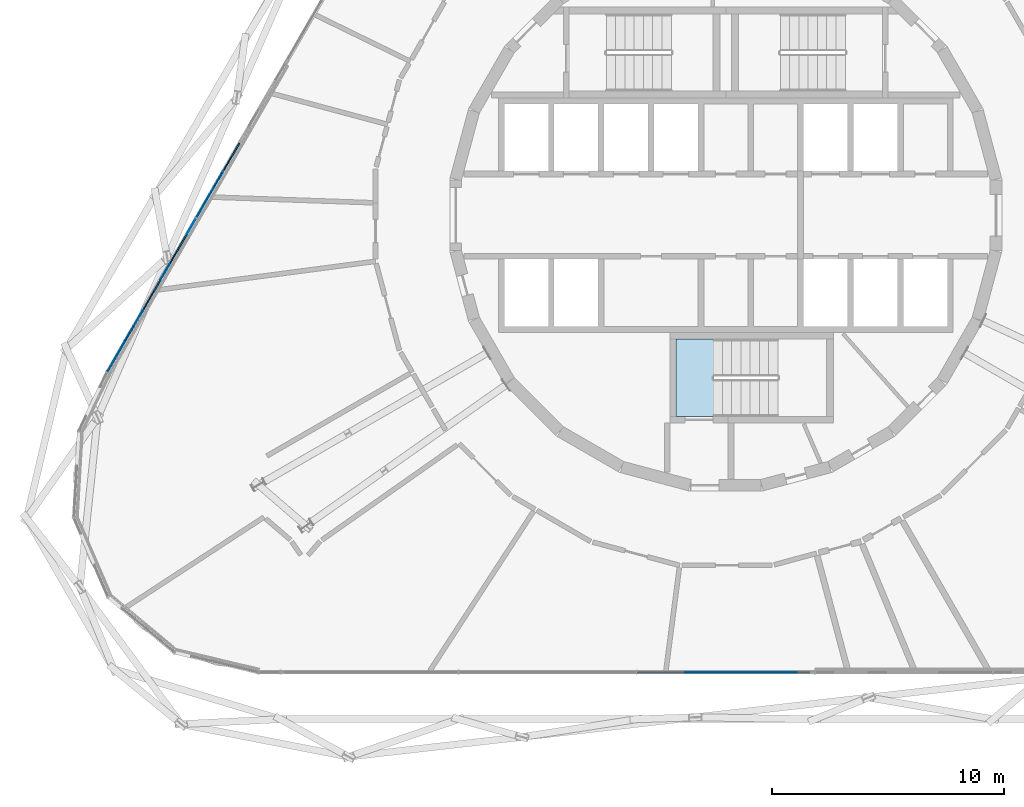
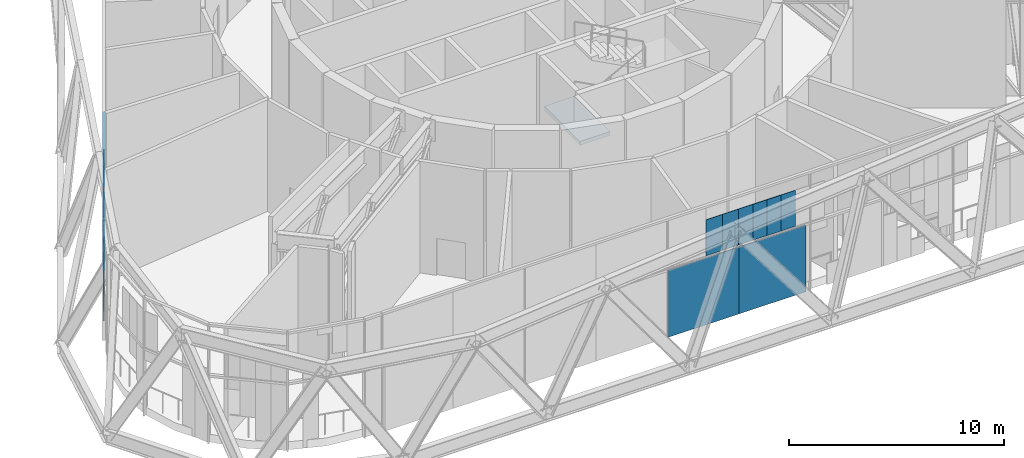
# One storey, part 12 of 29: 33 plates, 1 slab, 3 elements without a shape of their own.
"""IFC4 building model written with IfcOpenShell, lengths in metres."""

from ifc_helpers import new_model, si_unit, direction, frame, origin, origin_2d, place, context, subcontext, project, spatial, polyline, rectangle, outline, extrude, material, layer, layer_set, type_object, element, aggregate, save


model = new_model("IFC4")

# Units and contexts
model_context = context("Model", 3, precision=1e-05, world=origin(), true_north=direction((0.0, 1.0)))
body_context = subcontext(model_context, "Body", "Model", "MODEL_VIEW")
ifc_project = project(units=[si_unit("LENGTHUNIT", "METRE"), si_unit("AREAUNIT", "SQUARE_METRE"), si_unit("VOLUMEUNIT", "CUBIC_METRE"), si_unit("PLANEANGLEUNIT", "RADIAN"), si_unit("MASSUNIT", "GRAM", prefix="KILO")], contexts=[model_context])

# Site, building, storey
site_placement = place(None, origin())
site = spatial("IfcSite", under=ifc_project, at=site_placement, CompositionType="ELEMENT")
building_placement = place(site_placement, origin())
building = spatial("IfcBuilding", under=site, at=building_placement, Name="Spindle Arch Residences", CompositionType="ELEMENT")
storey_placement = place(building_placement, frame((0.0, 0.0, 69.89990234375)))
storey = spatial("IfcBuildingStorey", under=building, at=storey_placement, Name="L16", CompositionType="ELEMENT", Elevation=69.89990234375)

# Stair, slab
ifc_material_1 = material(Name="Concrete C50/60", Category="concrete")
stair_type = type_object("IfcStairType", Name="Exit stair 32 risers", PredefinedType="HALF_TURN_STAIR", material=ifc_material_1)
stair_placement = place(storey_placement, origin())
stair = element("IfcStair", 1, at=stair_placement, inside=storey, type_object=stair_type, Name="L16 Exit stair ST3", PredefinedType="HALF_TURN_STAIR")
ifc_material_2 = material(Name="Concrete C50/60", Category="concrete")
ifc_layer_1 = layer(ifc_material_2, 0.219970703125)
ifc_layer_set_1 = layer_set([ifc_layer_1], Name="Exit stair landing 220")
slab_type = type_object("IfcSlabType", Name="Exit stair landing 220", PredefinedType="LANDING", material=ifc_layer_set_1)
slab_placement = place(storey_placement, frame((0.0, 0.0, 3.18017578125)))
slab = element("IfcSlab", 2, at=slab_placement, type_object=slab_type, Name="ST3 landing 2", PredefinedType="LANDING", context=body_context, shape_type="SweptSolid", body=[
    extrude(outline(polyline([(-2.14990234375, -8.669921875), (-0.530029296875, -8.669921875), (-0.530029296875, -5.35009765625), (-2.14990234375, -5.35009765625), (-2.14990234375, -8.669921875)])), origin(), (0.0, 0.0, 1.0), 0.219970703125),
])
aggregate(stair, [slab])

# Curtain wall, plates
ifc_material_3 = material(Name="Aluminium bronze unitised frame with tinted glass", Category="aluminium")
ifc_layer_2 = layer(ifc_material_3, 0.159912109375)
ifc_layer_set_2 = layer_set([ifc_layer_2], Name="CW-E double-height winter garden wall")
curtain_wall_type = type_object("IfcCurtainWallType", Name="CW-E double-height winter garden wall", PredefinedType="NOTDEFINED", material=ifc_layer_set_2)
curtain_wall_1_placement = place(storey_placement, origin())
curtain_wall_1 = element("IfcCurtainWall", 3, at=curtain_wall_1_placement, inside=storey, type_object=curtain_wall_type, Name="CW-E L16 run 4", PredefinedType="NOTDEFINED")
ifc_material_4 = material(Name="Tinted laminated glass 28 mm", Category="glass")
ifc_layer_3 = layer(ifc_material_4, 0.028076171875)
ifc_layer_set_3 = layer_set([ifc_layer_3], Name="Tinted glass panel 28 mm")
plate_type_1 = type_object("IfcPlateType", Name="Tinted glass panel 28 mm", PredefinedType="CURTAIN_PANEL", material=ifc_layer_set_3)
plate_1_placement = place(storey_placement, frame((-21.86181640625, 1.553955078125, 3.460205078125), z_axis=(0.0, 0.0, 1.0), x_axis=(-0.5, -0.866025403784, 0.0)))
plate_1 = element("IfcPlate", 4, at=plate_1_placement, type_object=plate_type_1, Name="CW-E panel 16Bb.1", PredefinedType="CURTAIN_PANEL", context=body_context, shape_type="SweptSolid", body=[
    extrude(rectangle(XDim=0.761962890625, YDim=0.028076171875, at=origin_2d()), origin(), (0.0, 0.0, 1.0), 2.0458984375),
])
plate_2_placement = place(storey_placement, frame((-22.242919921875, 0.89404296875, 3.460205078125), z_axis=(0.0, 0.0, 1.0), x_axis=(-0.5, -0.866025403784, 0.0)))
plate_2 = element("IfcPlate", 5, at=plate_2_placement, type_object=plate_type_1, Name="CW-E panel 16Bb.2", PredefinedType="CURTAIN_PANEL", context=body_context, shape_type="SweptSolid", body=[
    extrude(rectangle(XDim=0.761962890625, YDim=0.028076171875, at=origin_2d()), origin(), (0.0, 0.0, 1.0), 2.0458984375),
])
plate_3_placement = place(storey_placement, frame((-22.623779296875, 0.234130859375, 3.460205078125), z_axis=(0.0, 0.0, 1.0), x_axis=(-0.5, -0.866025403784, 0.0)))
plate_3 = element("IfcPlate", 6, at=plate_3_placement, type_object=plate_type_1, Name="CW-E panel 16Bb.3", PredefinedType="CURTAIN_PANEL", context=body_context, shape_type="SweptSolid", body=[
    extrude(rectangle(XDim=0.761962890625, YDim=0.028076171875, at=origin_2d()), origin(), (0.0, 0.0, 1.0), 2.0458984375),
])
plate_4_placement = place(storey_placement, frame((-23.034912109375, -0.477783203125, 3.460205078125), z_axis=(0.0, 0.0, 1.0), x_axis=(-0.5, -0.866025403784, 0.0)))
plate_4 = element("IfcPlate", 7, at=plate_4_placement, type_object=plate_type_1, Name="CW-E panel 17Ab.1", PredefinedType="CURTAIN_PANEL", context=body_context, shape_type="SweptSolid", body=[
    extrude(rectangle(XDim=0.761962890625, YDim=0.028076171875, at=origin_2d()), origin(), (0.0, 0.0, 1.0), 2.0458984375),
])
plate_5_placement = place(storey_placement, frame((-24.177734375, -2.45751953125, 3.460205078125), z_axis=(0.0, 0.0, 1.0), x_axis=(-0.5, -0.866025403784, 0.0)))
plate_5 = element("IfcPlate", 8, at=plate_5_placement, type_object=plate_type_1, Name="CW-E panel 17Ab.2", PredefinedType="CURTAIN_PANEL", context=body_context, shape_type="SweptSolid", body=[
    extrude(rectangle(XDim=0.761962890625, YDim=0.028076171875, at=origin_2d()), origin(), (0.0, 0.0, 1.0), 0.75830078125),
])
plate_6_placement = place(storey_placement, frame((-25.32080078125, -4.437255859375, 3.460205078125), z_axis=(0.0, 0.0, 1.0), x_axis=(-0.5, -0.866025403784, 0.0)))
plate_6 = element("IfcPlate", 9, at=plate_6_placement, type_object=plate_type_1, Name="CW-E panel 17Bb.1", PredefinedType="CURTAIN_PANEL", context=body_context, shape_type="SweptSolid", body=[
    extrude(rectangle(XDim=0.761962890625, YDim=0.028076171875, at=origin_2d()), origin(), (0.0, 0.0, 1.0), 2.0458984375),
])
plate_7_placement = place(storey_placement, frame((-25.701904296875, -5.09716796875, 3.460205078125), z_axis=(0.0, 0.0, 1.0), x_axis=(-0.5, -0.866025403784, 0.0)))
plate_7 = element("IfcPlate", 10, at=plate_7_placement, type_object=plate_type_1, Name="CW-E panel 17Bb.2", PredefinedType="CURTAIN_PANEL", context=body_context, shape_type="SweptSolid", body=[
    extrude(rectangle(XDim=0.761962890625, YDim=0.028076171875, at=origin_2d()), origin(), (0.0, 0.0, 1.0), 2.0458984375),
])
plate_8_placement = place(storey_placement, frame((-26.082763671875, -5.757080078125, 3.460205078125), z_axis=(0.0, 0.0, 1.0), x_axis=(-0.5, -0.866025403784, 0.0)))
plate_8 = element("IfcPlate", 11, at=plate_8_placement, type_object=plate_type_1, Name="CW-E panel 17Bb.3", PredefinedType="CURTAIN_PANEL", context=body_context, shape_type="SweptSolid", body=[
    extrude(rectangle(XDim=0.761962890625, YDim=0.028076171875, at=origin_2d()), origin(), (0.0, 0.0, 1.0), 2.0458984375),
])
plate_9_placement = place(storey_placement, frame((-26.4638671875, -6.4169921875, 3.460205078125), z_axis=(0.0, 0.0, 1.0), x_axis=(-0.5, -0.866025403784, 0.0)))
plate_9 = element("IfcPlate", 12, at=plate_9_placement, type_object=plate_type_1, Name="CW-E panel 17Bb.4", PredefinedType="CURTAIN_PANEL", context=body_context, shape_type="SweptSolid", body=[
    extrude(rectangle(XDim=0.761962890625, YDim=0.028076171875, at=origin_2d()), origin(), (0.0, 0.0, 1.0), 2.0458984375),
])

curtain_wall_2_placement = place(storey_placement, origin())
curtain_wall_2 = element("IfcCurtainWall", 13, at=curtain_wall_2_placement, inside=storey, type_object=curtain_wall_type, Name="CW-E L16 run 6", PredefinedType="NOTDEFINED")
plate_10_placement = place(storey_placement, frame((-1.31591796875, -19.7099609375, 3.460205078125), z_axis=(0.0, 0.0, 1.0), x_axis=(1.0, 0.0, 0.0)))
plate_10 = element("IfcPlate", 14, at=plate_10_placement, type_object=plate_type_1, Name="CW-E panel 23Ab.2", PredefinedType="CURTAIN_PANEL", context=body_context, shape_type="SweptSolid", body=[
    extrude(rectangle(XDim=0.877197265625, YDim=0.028076171875, at=origin_2d()), origin(), (0.0, 0.0, 1.0), 2.0458984375),
])
plate_11_placement = place(storey_placement, frame((-0.438720703125, -19.7099609375, 3.460205078125), z_axis=(0.0, 0.0, 1.0), x_axis=(1.0, 0.0, 0.0)))
plate_11 = element("IfcPlate", 15, at=plate_11_placement, type_object=plate_type_1, Name="CW-E panel 23Ab.3", PredefinedType="CURTAIN_PANEL", context=body_context, shape_type="SweptSolid", body=[
    extrude(rectangle(XDim=0.877197265625, YDim=0.028076171875, at=origin_2d()), origin(), (0.0, 0.0, 1.0), 2.0458984375),
])
plate_12_placement = place(storey_placement, frame((0.381103515625, -19.7099609375, 3.460205078125), z_axis=(0.0, 0.0, 1.0), x_axis=(1.0, 0.0, 0.0)))
plate_12 = element("IfcPlate", 16, at=plate_12_placement, type_object=plate_type_1, Name="CW-E panel 23Bb.1", PredefinedType="CURTAIN_PANEL", context=body_context, shape_type="SweptSolid", body=[
    extrude(rectangle(XDim=0.761962890625, YDim=0.028076171875, at=origin_2d()), origin(), (0.0, 0.0, 1.0), 2.0458984375),
])
plate_13_placement = place(storey_placement, frame((1.14306640625, -19.7099609375, 3.460205078125), z_axis=(0.0, 0.0, 1.0), x_axis=(1.0, 0.0, 0.0)))
plate_13 = element("IfcPlate", 17, at=plate_13_placement, type_object=plate_type_1, Name="CW-E panel 23Bb.2", PredefinedType="CURTAIN_PANEL", context=body_context, shape_type="SweptSolid", body=[
    extrude(rectangle(XDim=0.761962890625, YDim=0.028076171875, at=origin_2d()), origin(), (0.0, 0.0, 1.0), 2.0458984375),
])
plate_14_placement = place(storey_placement, frame((1.905029296875, -19.7099609375, 3.460205078125), z_axis=(0.0, 0.0, 1.0), x_axis=(1.0, 0.0, 0.0)))
plate_14 = element("IfcPlate", 18, at=plate_14_placement, type_object=plate_type_1, Name="CW-E panel 23Bb.3", PredefinedType="CURTAIN_PANEL", context=body_context, shape_type="SweptSolid", body=[
    extrude(rectangle(XDim=0.761962890625, YDim=0.028076171875, at=origin_2d()), origin(), (0.0, 0.0, 1.0), 2.0458984375),
])
plate_15_placement = place(storey_placement, frame((2.6669921875, -19.7099609375, 3.460205078125), z_axis=(0.0, 0.0, 1.0), x_axis=(1.0, 0.0, 0.0)))
plate_15 = element("IfcPlate", 19, at=plate_15_placement, type_object=plate_type_1, Name="CW-E panel 23Bb.4", PredefinedType="CURTAIN_PANEL", context=body_context, shape_type="SweptSolid", body=[
    extrude(rectangle(XDim=0.761962890625, YDim=0.028076171875, at=origin_2d()), origin(), (0.0, 0.0, 1.0), 2.0458984375),
])

# Plate
ifc_material_5 = material(Name="Tinted double glazing over aluminium faced non-combustible spandrel zone (K0)", Category="aluminium")
ifc_layer_4 = layer(ifc_material_5, 0.06005859375)
ifc_layer_set_4 = layer_set([ifc_layer_4], Name="Unitised glass panel with E 60 spandrel zone")
plate_type_2 = type_object("IfcPlateType", Name="Unitised glass panel with E 60 spandrel zone", PredefinedType="CURTAIN_PANEL", material=ifc_layer_set_4)
plate_16_placement = place(storey_placement, frame((-21.142333984375, 2.80029296875, -0.44970703125), z_axis=(0.0, 0.0, 1.0), x_axis=(-0.5, -0.866025403784, 0.0)))
plate_16 = element("IfcPlate", 20, at=plate_16_placement, type_object=plate_type_2, Name="CW-E panel 16Ba.2", PredefinedType="CURTAIN_PANEL", context=body_context, shape_type="SweptSolid", body=[
    extrude(rectangle(XDim=0.7431640625, YDim=0.06005859375, at=origin_2d()), origin(), (0.0, 0.0, 1.0), 2.848388671875),
])

plate_17_placement = place(storey_placement, frame((-21.513916015625, 2.15673828125, -0.44970703125), z_axis=(0.0, 0.0, 1.0), x_axis=(-0.5, -0.866025403784, 0.0)))
plate_17 = element("IfcPlate", 21, at=plate_17_placement, type_object=plate_type_2, Name="CW-E panel 16Ba.3", PredefinedType="CURTAIN_PANEL", context=body_context, shape_type="SweptSolid", body=[
    extrude(rectangle(XDim=0.7431640625, YDim=0.06005859375, at=origin_2d()), origin(), (0.0, 0.0, 1.0), 1.906982421875),
])

plate_18_placement = place(storey_placement, frame((-21.885498046875, 1.51318359375, -0.449951171875), z_axis=(0.0, 0.0, 1.0), x_axis=(-0.5, -0.866025403784, 0.0)))
plate_18 = element("IfcPlate", 22, at=plate_18_placement, type_object=plate_type_2, Name="CW-E panel 16Ba.4", PredefinedType="CURTAIN_PANEL", context=body_context, shape_type="SweptSolid", body=[
    extrude(rectangle(XDim=0.7431640625, YDim=0.06005859375, at=origin_2d()), origin(), (0.0, 0.0, 1.0), 0.96533203125),
])

plate_19_placement = place(storey_placement, frame((-21.885498046875, 1.51318359375, 2.554443359375), z_axis=(0.0, 0.0, 1.0), x_axis=(-0.5, -0.866025403784, 0.0)))
plate_19 = element("IfcPlate", 23, at=plate_19_placement, type_object=plate_type_2, Name="CW-E panel 16Ba.5", PredefinedType="CURTAIN_PANEL", context=body_context, shape_type="SweptSolid", body=[
    extrude(rectangle(XDim=0.7431640625, YDim=0.06005859375, at=origin_2d()), origin(), (0.0, 0.0, 1.0), 0.78564453125),
])

plate_20_placement = place(storey_placement, frame((-22.257080078125, 0.86962890625, 1.613037109375), z_axis=(0.0, 0.0, 1.0), x_axis=(-0.5, -0.866025403784, 0.0)))
plate_20 = element("IfcPlate", 24, at=plate_20_placement, type_object=plate_type_2, Name="CW-E panel 16Ba.6", PredefinedType="CURTAIN_PANEL", context=body_context, shape_type="SweptSolid", body=[
    extrude(rectangle(XDim=0.7431640625, YDim=0.06005859375, at=origin_2d()), origin(), (0.0, 0.0, 1.0), 1.72705078125),
])

plate_21_placement = place(storey_placement, frame((-22.628662109375, 0.22607421875, 0.67138671875), z_axis=(0.0, 0.0, 1.0), x_axis=(-0.5, -0.866025403784, 0.0)))
plate_21 = element("IfcPlate", 25, at=plate_21_placement, type_object=plate_type_2, Name="CW-E panel 16Ba.7", PredefinedType="CURTAIN_PANEL", context=body_context, shape_type="SweptSolid", body=[
    extrude(rectangle(XDim=0.7431640625, YDim=0.06005859375, at=origin_2d()), origin(), (0.0, 0.0, 1.0), 2.668701171875),
])

plate_22_placement = place(storey_placement, frame((-23.415771484375, -1.1376953125, -0.449951171875), z_axis=(0.0, 0.0, 1.0), x_axis=(-0.5, -0.866025403784, 0.0)))
plate_22 = element("IfcPlate", 26, at=plate_22_placement, type_object=plate_type_2, Name="CW-E panel 17Aa.2", PredefinedType="CURTAIN_PANEL", context=body_context, shape_type="SweptSolid", body=[
    extrude(rectangle(XDim=0.761962890625, YDim=0.06005859375, at=origin_2d()), origin(), (0.0, 0.0, 1.0), 1.0029296875),
])

plate_23_placement = place(storey_placement, frame((-23.796875, -1.797607421875, -0.449951171875), z_axis=(0.0, 0.0, 1.0), x_axis=(-0.5, -0.866025403784, 0.0)))
plate_23 = element("IfcPlate", 27, at=plate_23_placement, type_object=plate_type_2, Name="CW-E panel 17Aa.3", PredefinedType="CURTAIN_PANEL", context=body_context, shape_type="SweptSolid", body=[
    extrude(rectangle(XDim=0.761962890625, YDim=0.06005859375, at=origin_2d()), origin(), (0.0, 0.0, 1.0), 3.46630859375),
])

plate_24_placement = place(storey_placement, frame((-24.177734375, -2.45751953125, -0.449951171875), z_axis=(0.0, 0.0, 1.0), x_axis=(-0.5, -0.866025403784, 0.0)))
plate_24 = element("IfcPlate", 28, at=plate_24_placement, type_object=plate_type_2, Name="CW-E panel 17Aa.4", PredefinedType="CURTAIN_PANEL", context=body_context, shape_type="SweptSolid", body=[
    extrude(rectangle(XDim=0.761962890625, YDim=0.06005859375, at=origin_2d()), origin(), (0.0, 0.0, 1.0), 3.7900390625),
])

plate_25_placement = place(storey_placement, frame((-24.558837890625, -3.117431640625, -0.449951171875), z_axis=(0.0, 0.0, 1.0), x_axis=(-0.5, -0.866025403784, 0.0)))
plate_25 = element("IfcPlate", 29, at=plate_25_placement, type_object=plate_type_2, Name="CW-E panel 17Aa.5", PredefinedType="CURTAIN_PANEL", context=body_context, shape_type="SweptSolid", body=[
    extrude(rectangle(XDim=0.761962890625, YDim=0.06005859375, at=origin_2d()), origin(), (0.0, 0.0, 1.0), 3.7392578125),
])

plate_26_placement = place(storey_placement, frame((-24.93994140625, -3.77734375, -0.449951171875), z_axis=(0.0, 0.0, 1.0), x_axis=(-0.5, -0.866025403784, 0.0)))
plate_26 = element("IfcPlate", 30, at=plate_26_placement, type_object=plate_type_2, Name="CW-E panel 17Ba.1", PredefinedType="CURTAIN_PANEL", context=body_context, shape_type="SweptSolid", body=[
    extrude(rectangle(XDim=0.761962890625, YDim=0.06005859375, at=origin_2d()), origin(), (0.0, 0.0, 1.0), 2.81005859375),
])

plate_27_placement = place(storey_placement, frame((-25.32080078125, -4.437255859375, -0.449951171875), z_axis=(0.0, 0.0, 1.0), x_axis=(-0.5, -0.866025403784, 0.0)))
plate_27 = element("IfcPlate", 31, at=plate_27_placement, type_object=plate_type_2, Name="CW-E panel 17Ba.2", PredefinedType="CURTAIN_PANEL", context=body_context, shape_type="SweptSolid", body=[
    extrude(rectangle(XDim=0.761962890625, YDim=0.06005859375, at=origin_2d()), origin(), (0.0, 0.0, 1.0), 1.880859375),
])

plate_28_placement = place(storey_placement, frame((-25.701904296875, -5.09716796875, -0.449951171875), z_axis=(0.0, 0.0, 1.0), x_axis=(-0.5, -0.866025403784, 0.0)))
plate_28 = element("IfcPlate", 32, at=plate_28_placement, type_object=plate_type_2, Name="CW-E panel 17Ba.3", PredefinedType="CURTAIN_PANEL", context=body_context, shape_type="SweptSolid", body=[
    extrude(rectangle(XDim=0.761962890625, YDim=0.06005859375, at=origin_2d()), origin(), (0.0, 0.0, 1.0), 0.95166015625),
])

plate_29_placement = place(storey_placement, frame((-25.701904296875, -5.09716796875, 2.503173828125), z_axis=(0.0, 0.0, 1.0), x_axis=(-0.5, -0.866025403784, 0.0)))
plate_29 = element("IfcPlate", 33, at=plate_29_placement, type_object=plate_type_2, Name="CW-E panel 17Ba.4", PredefinedType="CURTAIN_PANEL", context=body_context, shape_type="SweptSolid", body=[
    extrude(rectangle(XDim=0.761962890625, YDim=0.06005859375, at=origin_2d()), origin(), (0.0, 0.0, 1.0), 0.8369140625),
])

plate_30_placement = place(storey_placement, frame((-26.082763671875, -5.757080078125, 1.57421875), z_axis=(0.0, 0.0, 1.0), x_axis=(-0.5, -0.866025403784, 0.0)))
plate_30 = element("IfcPlate", 34, at=plate_30_placement, type_object=plate_type_2, Name="CW-E panel 17Ba.5", PredefinedType="CURTAIN_PANEL", context=body_context, shape_type="SweptSolid", body=[
    extrude(rectangle(XDim=0.761962890625, YDim=0.06005859375, at=origin_2d()), origin(), (0.0, 0.0, 1.0), 1.765869140625),
])

plate_31_placement = place(storey_placement, frame((-26.4638671875, -6.4169921875, 0.64501953125), z_axis=(0.0, 0.0, 1.0), x_axis=(-0.5, -0.866025403784, 0.0)))
plate_31 = element("IfcPlate", 35, at=plate_31_placement, type_object=plate_type_2, Name="CW-E panel 17Ba.6", PredefinedType="CURTAIN_PANEL", context=body_context, shape_type="SweptSolid", body=[
    extrude(rectangle(XDim=0.761962890625, YDim=0.06005859375, at=origin_2d()), origin(), (0.0, 0.0, 1.0), 2.695068359375),
])

aggregate(curtain_wall_1, [plate_16, plate_17, plate_18, plate_19, plate_20, plate_21, plate_1, plate_2, plate_3, plate_22, plate_23, plate_24, plate_25, plate_4, plate_5, plate_26, plate_27, plate_28, plate_29, plate_30, plate_31, plate_6, plate_7, plate_8, plate_9])

plate_32_placement = place(storey_placement, frame((-1.905029296875, -19.7099609375, -0.449951171875), z_axis=(0.0, 0.0, 1.0), x_axis=(1.0, 0.0, 0.0)))
plate_32 = element("IfcPlate", 36, at=plate_32_placement, type_object=plate_type_2, Name="CW-E unit 23Aa", PredefinedType="CURTAIN_PANEL", context=body_context, shape_type="SweptSolid", body=[
    extrude(rectangle(XDim=3.81005859375, YDim=0.06005859375, at=origin_2d()), origin(), (0.0, 0.0, 1.0), 3.7900390625),
])

plate_33_placement = place(storey_placement, frame((1.8095703125, -19.7099609375, -0.449951171875), z_axis=(0.0, 0.0, 1.0), x_axis=(1.0, 0.0, 0.0)))
plate_33 = element("IfcPlate", 37, at=plate_33_placement, type_object=plate_type_2, Name="CW-E panel 23Ba.1", PredefinedType="CURTAIN_PANEL", context=body_context, shape_type="SweptSolid", body=[
    extrude(rectangle(XDim=3.619384765625, YDim=0.06005859375, at=origin_2d()), origin(), (0.0, 0.0, 1.0), 3.7900390625),
])

aggregate(curtain_wall_2, [plate_32, plate_10, plate_11, plate_33, plate_12, plate_13, plate_14, plate_15])

save(model, "model.ifc")
